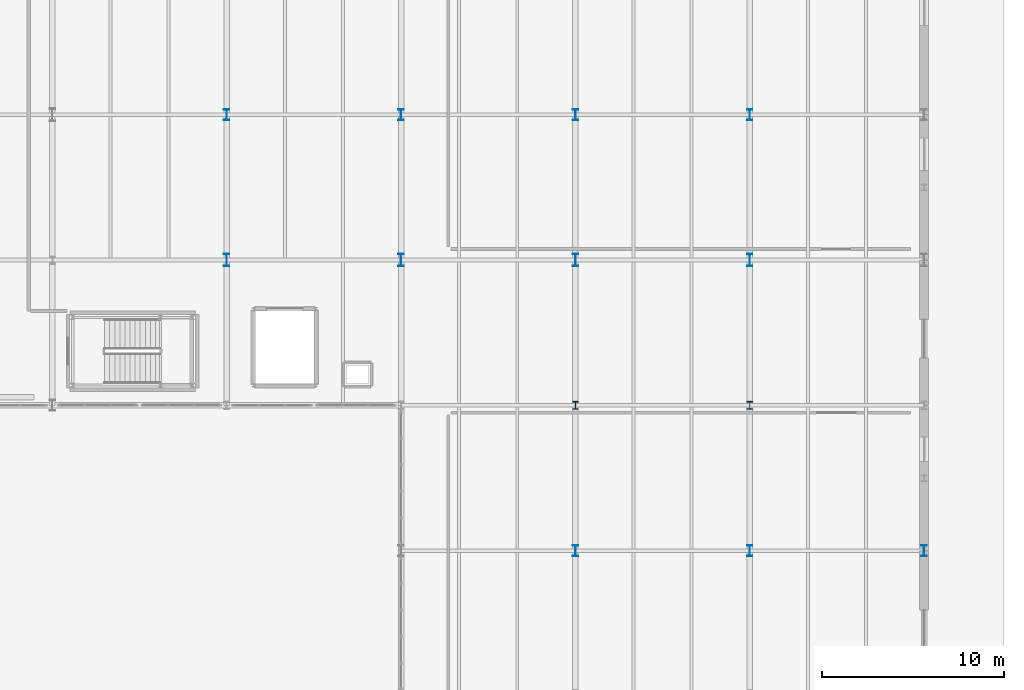
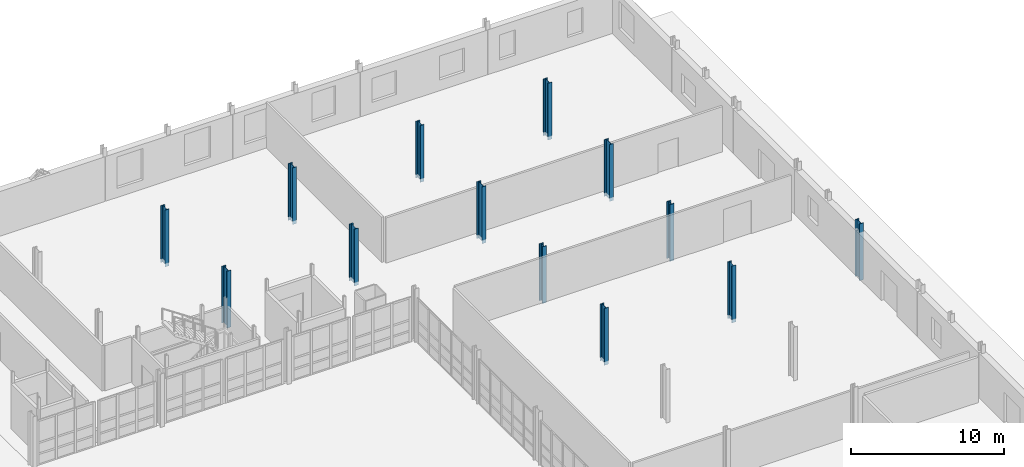
# One storey, part 27 of 78: 13 columns.
"""IFC4 building model written with IfcOpenShell, lengths in metres."""

from ifc_helpers import new_model, si_unit, direction, frame, origin, origin_2d, place, context, subcontext, project, spatial, i_section, extrude, material, material_profile, profile_set, type_object, element, save


model = new_model("IFC4")

# Units and contexts
model_context = context("Model", 3, precision=1e-05, world=origin(), true_north=direction((0.0, 1.0)))
body_context = subcontext(model_context, "Body", "Model", "MODEL_VIEW")
ifc_project = project(units=[si_unit("LENGTHUNIT", "METRE"), si_unit("AREAUNIT", "SQUARE_METRE"), si_unit("VOLUMEUNIT", "CUBIC_METRE"), si_unit("PLANEANGLEUNIT", "RADIAN"), si_unit("MASSUNIT", "GRAM", prefix="KILO")], contexts=[model_context])

# Site, building, storey
site_placement = place(None, origin())
site = spatial("IfcSite", under=ifc_project, at=site_placement, CompositionType="ELEMENT")
building_placement = place(site_placement, origin())
building = spatial("IfcBuilding", under=site, at=building_placement, Name="Alderhovde Museum", CompositionType="ELEMENT")
storey_placement = place(building_placement, origin())
storey = spatial("IfcBuildingStorey", under=building, at=storey_placement, Name="L00", CompositionType="ELEMENT", Elevation=0.0)

# Columns
ifc_material_1 = material(Name="Steel S355J2", Category="steel")
ifc_material_profile_1 = material_profile(ifc_material_1, i_section(OverallWidth=0.300048828125, OverallDepth=0.60009765625, WebThickness=0.015380859375, FlangeThickness=0.030029296875, FilletRadius=0.027099609375, at=origin_2d()), Name="HEB 600")
ifc_profile_set_1 = profile_set([ifc_material_profile_1], Name="Steel S355J2")
column_type_1 = type_object("IfcColumnType", Name="COL-HEB600", PredefinedType="COLUMN", material=ifc_profile_set_1)
for number, where, z_axis, x_axis, name in (
    (1, (134.39990234375, 88.0, -0.280029296875), (0.0, 0.0, 1.0), (1.0, 0.0, 0.0), "L00 Column (134.4, 88.0)"),
    (2, (144.0, 88.0, -0.280029296875), (0.0, 0.0, 1.0), (1.0, 0.0, 0.0), "L00 Column (144.0, 88.0)"),
    (3, (153.60009765625, 64.0, -0.280029296875), (0.0, 0.0, 1.0), (1.0, 0.0, 0.0), "L00 Column (153.6, 64.0)"),
    (4, (153.60009765625, 88.0, -0.280029296875), (0.0, 0.0, 1.0), (1.0, 0.0, 0.0), "L00 Column (153.6, 88.0)"),
    (5, (163.199951171875, 64.0, -0.280029296875), (0.0, 0.0, 1.0), (1.0, 0.0, 0.0), "L00 Column (163.2, 64.0)"),
    (6, (163.199951171875, 88.0, -0.280029296875), (0.0, 0.0, 1.0), (1.0, 0.0, 0.0), "L00 Column (163.2, 88.0)"),
    (7, (172.800048828125, 64.0, -0.280029296875), (0.0, 0.0, 1.0), (1.0, 0.0, 0.0), "L00 Column (172.8, 64.0)"),
):
    element("IfcColumn", number, at=place(storey_placement, frame(where, z_axis=z_axis, x_axis=x_axis)), inside=storey, type_object=column_type_1, Name=name, PredefinedType="COLUMN", context=body_context, shape_type="SweptSolid", body=[
        extrude(i_section(OverallWidth=0.300048828125, OverallDepth=0.60009765625, WebThickness=0.015380859375, FlangeThickness=0.030029296875, FilletRadius=0.027099609375, at=origin_2d()), origin(), (0.0, 0.0, 1.0), 4.52001953125),
    ])
ifc_material_2 = material(Name="Steel S355J2", Category="steel")
ifc_material_profile_2 = material_profile(ifc_material_2, i_section(OverallWidth=0.300048828125, OverallDepth=0.699951171875, WebThickness=0.01708984375, FlangeThickness=0.031982421875, FilletRadius=0.027099609375, at=origin_2d()), Name="HEB 700")
ifc_profile_set_2 = profile_set([ifc_material_profile_2], Name="Steel S355J2")
column_type_2 = type_object("IfcColumnType", Name="COL-HEB700", PredefinedType="COLUMN", material=ifc_profile_set_2)
for number, where, z_axis, x_axis, name in (
    (8, (134.39990234375, 80.0, -0.280029296875), (0.0, 0.0, 1.0), (1.0, 0.0, 0.0), "L00 Column (134.4, 80.0)"),
    (9, (144.0, 80.0, -0.280029296875), (0.0, 0.0, 1.0), (1.0, 0.0, 0.0), "L00 Column (144.0, 80.0)"),
    (10, (153.60009765625, 80.0, -0.280029296875), (0.0, 0.0, 1.0), (1.0, 0.0, 0.0), "L00 Column (153.6, 80.0)"),
    (11, (163.199951171875, 80.0, -0.280029296875), (0.0, 0.0, 1.0), (1.0, 0.0, 0.0), "L00 Column (163.2, 80.0)"),
):
    element("IfcColumn", number, at=place(storey_placement, frame(where, z_axis=z_axis, x_axis=x_axis)), inside=storey, type_object=column_type_2, Name=name, PredefinedType="COLUMN", context=body_context, shape_type="SweptSolid", body=[
        extrude(i_section(OverallWidth=0.300048828125, OverallDepth=0.699951171875, WebThickness=0.01708984375, FlangeThickness=0.031982421875, FilletRadius=0.027099609375, at=origin_2d()), origin(), (0.0, 0.0, 1.0), 4.52001953125),
    ])
ifc_material_3 = material(Name="Steel S355J2", Category="steel")
ifc_material_profile_3 = material_profile(ifc_material_3, i_section(OverallWidth=0.306884765625, OverallDepth=0.431884765625, WebThickness=0.02099609375, FlangeThickness=0.0400390625, FilletRadius=0.027099609375, at=origin_2d()), Name="HEM 400")
ifc_profile_set_3 = profile_set([ifc_material_profile_3], Name="Steel S355J2")
column_type_3 = type_object("IfcColumnType", Name="COL-HEM400", PredefinedType="COLUMN", material=ifc_profile_set_3)
for number, where, z_axis, x_axis, name in (
    (12, (153.60009765625, 72.0, -0.280029296875), (0.0, 0.0, 1.0), (1.0, 0.0, 0.0), "L00 Column (153.6, 72.0)"),
    (13, (163.199951171875, 72.0, -0.280029296875), (0.0, 0.0, 1.0), (1.0, 0.0, 0.0), "L00 Column (163.2, 72.0)"),
):
    element("IfcColumn", number, at=place(storey_placement, frame(where, z_axis=z_axis, x_axis=x_axis)), inside=storey, type_object=column_type_3, Name=name, PredefinedType="COLUMN", context=body_context, shape_type="SweptSolid", body=[
        extrude(i_section(OverallWidth=0.306884765625, OverallDepth=0.431884765625, WebThickness=0.02099609375, FlangeThickness=0.0400390625, FilletRadius=0.027099609375, at=origin_2d()), origin(), (0.0, 0.0, 1.0), 4.52001953125),
    ])

save(model, "model.ifc")
